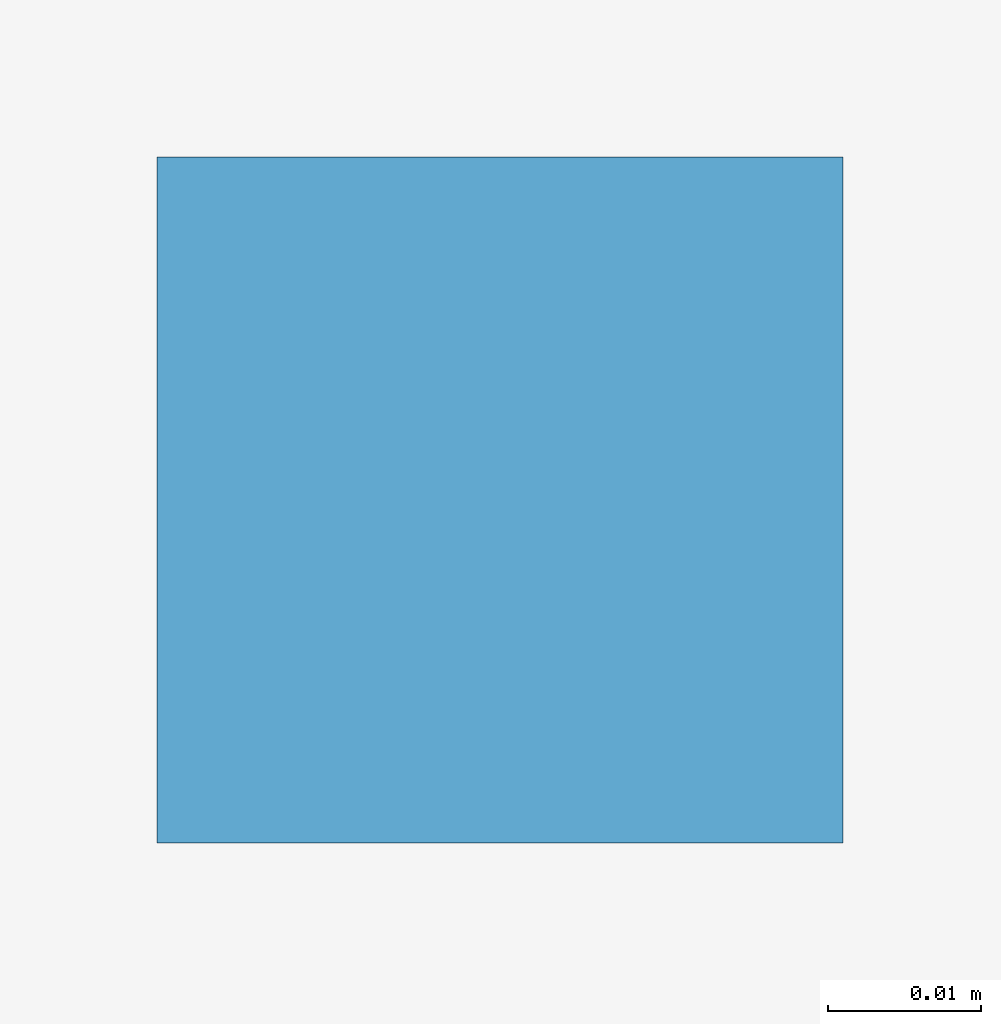
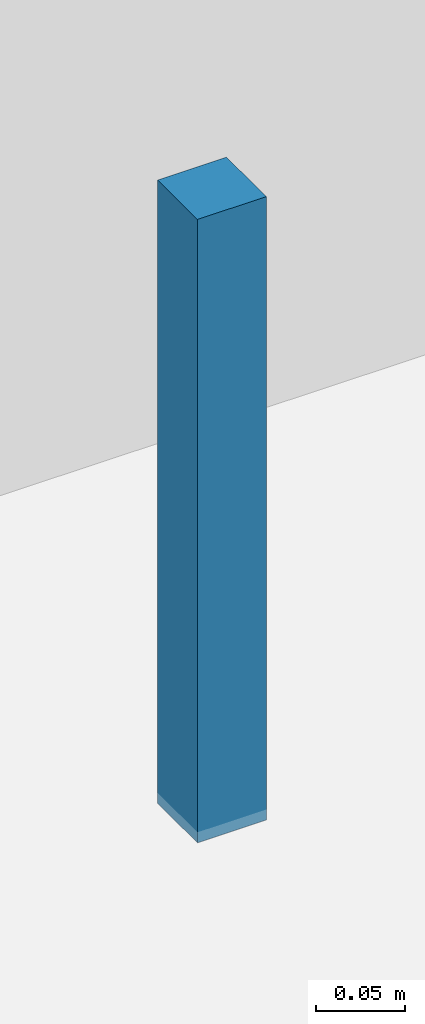
# One storey, part 68 of 95: 1 discrete accessory.
"""IFC4 building model written with IfcOpenShell, lengths in metres."""

from ifc_helpers import new_model, si_unit, derived_unit, direction, frame, origin, origin_2d, place, context, subcontext, project, spatial, rectangle, extrude, material, type_object, element, save


model = new_model("IFC4")

# Units and contexts
model_context = context("Model", 3, precision=1e-05, world=origin(), true_north=direction((0.0, 1.0)))
body_context = subcontext(model_context, "Body", "Model", "MODEL_VIEW")
ifc_project = project(units=[si_unit("LENGTHUNIT", "METRE"), si_unit("AREAUNIT", "SQUARE_METRE"), si_unit("VOLUMEUNIT", "CUBIC_METRE"), si_unit("PLANEANGLEUNIT", "RADIAN"), si_unit("MASSUNIT", "GRAM", prefix="KILO"), derived_unit("THERMALTRANSMITTANCEUNIT", [(si_unit("POWERUNIT", "WATT"), 1), (si_unit("LENGTHUNIT", "METRE"), -2), (si_unit("THERMODYNAMICTEMPERATUREUNIT", "KELVIN"), -1)])], contexts=[model_context])

# Site, building, storey
site_placement = place(None, origin())
site = spatial("IfcSite", under=ifc_project, at=site_placement, CompositionType="ELEMENT")
building_placement = place(site_placement, origin())
building = spatial("IfcBuilding", under=site, at=building_placement, Name="Braskholm Square Health Centre", CompositionType="ELEMENT")
storey_placement = place(building_placement, frame((0.0, 0.0, 4.800048828125)))
storey = spatial("IfcBuildingStorey", under=building, at=storey_placement, Name="L02", CompositionType="ELEMENT", Elevation=4.800048828125)

# Discrete accessory
ifc_material = material(Name="Steel ASTM A500 Grade C", Category="steel")
discrete_accessory_type = type_object("IfcDiscreteAccessoryType", Name="CeilingSuspensionBracket", PredefinedType="BRACKET", material=ifc_material)
discrete_accessory_placement = place(storey_placement, frame((8.06005859375, 65.02001953125, 3.7822265625), z_axis=(0.0, 0.0, 1.0), x_axis=(1.0, 0.0, 0.0)))
element("IfcDiscreteAccessory", 1, at=discrete_accessory_placement, inside=storey, type_object=discrete_accessory_type, Name="Ceiling hanger bracket 0030", PredefinedType="BRACKET", context=body_context, shape_type="SweptSolid", body=[
    extrude(rectangle(XDim=0.044921875, YDim=0.044921875, at=origin_2d()), origin(), (0.0, 0.0, 1.0), 0.429931640625),
])

save(model, "model.ifc")
